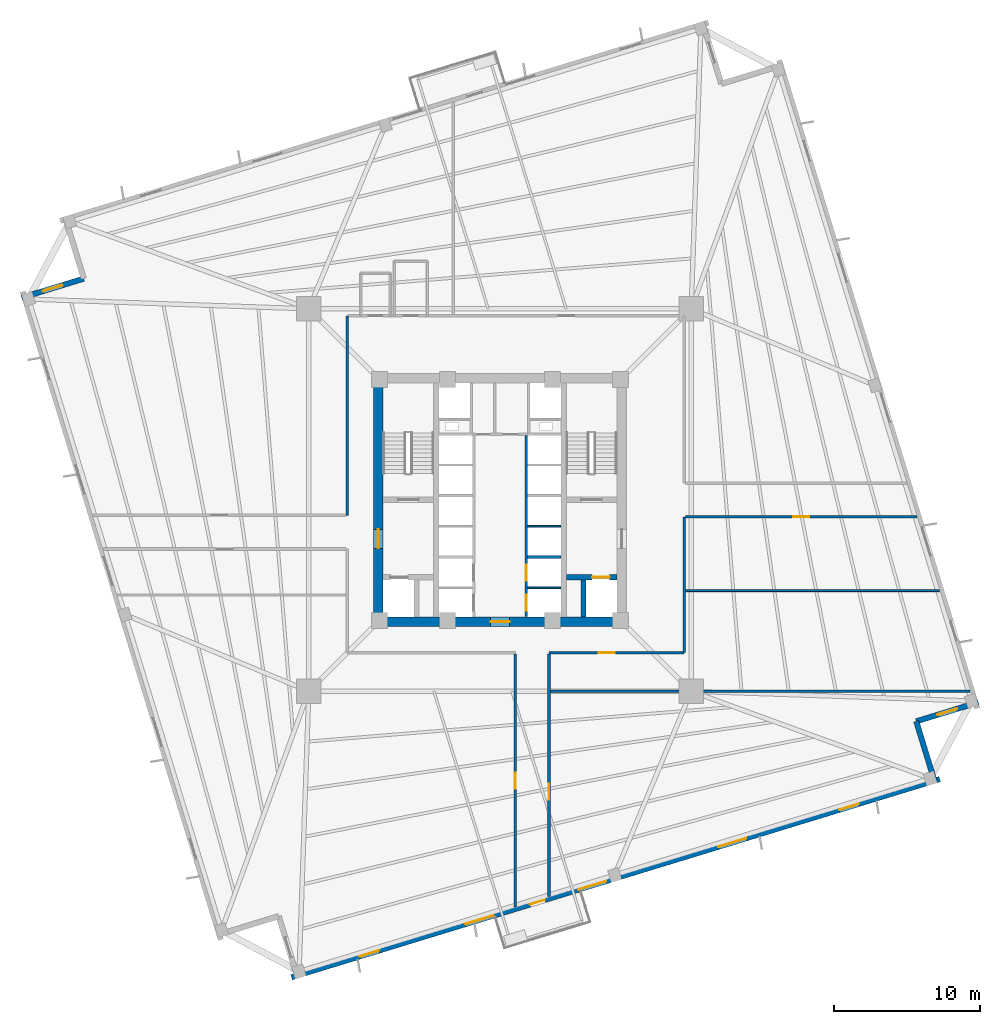
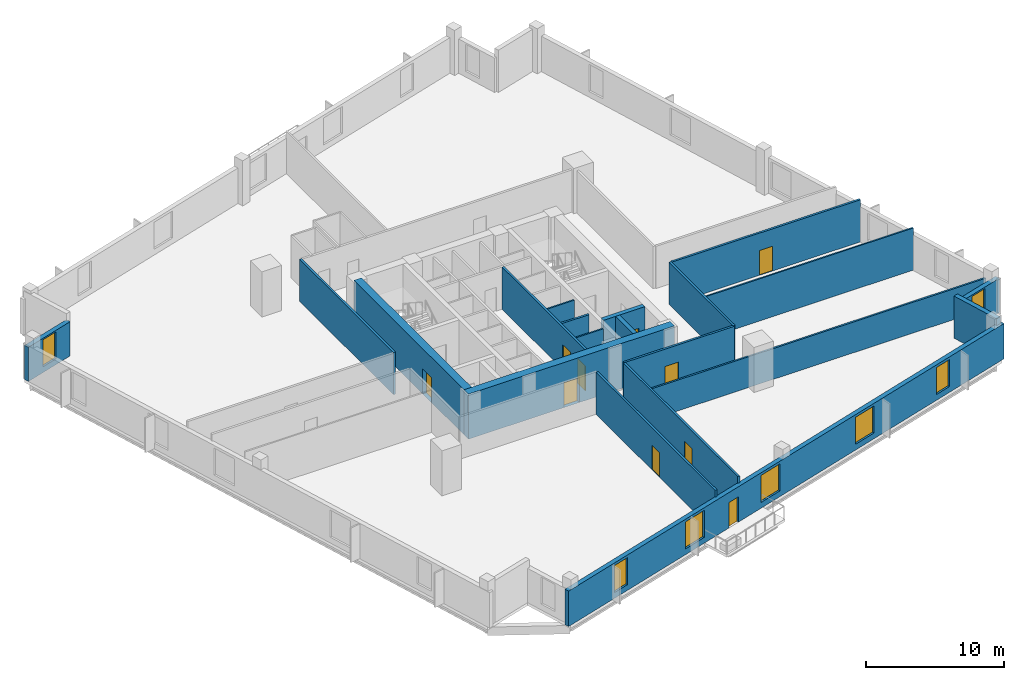
# One storey, part 3 of 8: 20 walls, 10 doors, 7 windows, 17 openings.
"""IFC4 building model written with IfcOpenShell, lengths in metres."""

import ifcopenshell
import ifcopenshell.guid

model = None  # the IFC model being written
_history = None  # IfcOwnerHistory: only IFC2X3 demands one
_inside = {}  # id of a spatial element -> (the spatial element, [elements in it])
_under = {}  # id of a project, library or spatial element -> (it, [spatial elements below it])
_declared = {}  # id of a project -> (the project, [libraries it declares])
_typed = {}  # id of a type object -> (the type object, [elements of that type])
_made_of = {}  # id of a material, layer set ... -> (it, [elements and type objects made of it])


def new_model(schema):
    """Start an empty IFC model of exactly this schema.

    Asked for "IFC4X3", IfcOpenShell would pick the latest addendum, in which some entities
    have other attributes; the version numbers below select the first issue.
    IFC2X3 requires an IfcOwnerHistory on every rooted entity: one is made here for all.
    """
    global model, _history
    if schema == "IFC4X3":
        model = ifcopenshell.file(schema_version=(4, 3, 0, 0))
    else:
        model = ifcopenshell.file(schema=schema)
    _inside.clear()
    _under.clear()
    _declared.clear()
    _typed.clear()
    _made_of.clear()
    _history = None
    if model.schema == "IFC2X3":
        org = make("IfcOrganization", Name="unknown")
        user = make(
            "IfcPersonAndOrganization",
            ThePerson=make("IfcPerson", FamilyName="unknown"),
            TheOrganization=org,
        )
        app = make(
            "IfcApplication",
            ApplicationDeveloper=org,
            Version="unknown",
            ApplicationFullName="unknown",
            ApplicationIdentifier="unknown",
        )
        _history = make(
            "IfcOwnerHistory",
            OwningUser=user,
            OwningApplication=app,
            ChangeAction="ADDED",
            CreationDate=0,
        )
    return model


def make(cls, **values):
    """One entity of the class cls with the attributes given. An attribute that is None is left unset."""
    return model.create_entity(
        cls, **{name: value for name, value in values.items() if value is not None}
    )


def rooted(cls, **values):
    """An entity with a GlobalId (a new one), such as an element, a storey or a relation."""
    return make(cls, GlobalId=ifcopenshell.guid.new(), OwnerHistory=_history, **values)


def si_unit(unit_type, name, prefix=None):
    """IfcSIUnit, for example si_unit("LENGTHUNIT", "METRE", prefix="MILLI")."""
    return make("IfcSIUnit", UnitType=unit_type, Prefix=prefix, Name=name)


def assignment(units):
    """IfcUnitAssignment: the units of a project."""
    return None if units is None else make("IfcUnitAssignment", Units=units)


def point(xyz):
    """IfcCartesianPoint."""
    return None if xyz is None else make("IfcCartesianPoint", Coordinates=xyz)


def direction(xyz):
    """IfcDirection."""
    return None if xyz is None else make("IfcDirection", DirectionRatios=xyz)


def frame(location, z_axis=None, x_axis=None):
    """IfcAxis2Placement3D, a coordinate frame: its origin and axes. An axis left out is left unset."""
    return make(
        "IfcAxis2Placement3D",
        Location=point(location),
        Axis=direction(z_axis),
        RefDirection=direction(x_axis),
    )


def frame_2d(location, x_axis=None):
    """IfcAxis2Placement2D, a coordinate frame in the plane: its origin and x axis."""
    return make(
        "IfcAxis2Placement2D", Location=point(location), RefDirection=direction(x_axis)
    )


def origin():
    """The frame at (0, 0, 0) with its axes left unset."""
    return frame((0.0, 0.0, 0.0))


def place(relative_to, where):
    """IfcLocalPlacement: puts the frame where relative to a parent placement (None: the world)."""
    return make(
        "IfcLocalPlacement", PlacementRelTo=relative_to, RelativePlacement=where
    )


def context(
    kind, dimensions, precision=None, world=None, true_north=None, identifier=None
):
    """IfcGeometricRepresentationContext, for example the 3D "Model" context."""
    return make(
        "IfcGeometricRepresentationContext",
        ContextIdentifier=identifier,
        ContextType=kind,
        CoordinateSpaceDimension=dimensions,
        Precision=precision,
        WorldCoordinateSystem=world,
        TrueNorth=true_north,
    )


def subcontext(parent, identifier, kind, view, scale=None):
    """IfcGeometricRepresentationSubContext, for example "Body" below "Model"."""
    return make(
        "IfcGeometricRepresentationSubContext",
        ContextIdentifier=identifier,
        ContextType=kind,
        ParentContext=parent,
        TargetScale=scale,
        TargetView=view,
    )


def project(units=None, contexts=None):
    """IfcProject with its units and contexts."""
    return rooted(
        "IfcProject",
        Name="project",
        RepresentationContexts=contexts,
        UnitsInContext=assignment(units),
    )


def spatial(cls, under=None, at=None, **own):
    """A site, building, storey or space (cls), placed at a placement, below another one or the project."""
    s = rooted(cls, ObjectPlacement=at, **own)
    if under is not None:
        _under.setdefault(under.id(), (under, []))[1].append(s)
    return s


def profile(cls, at=None, kind="AREA", **sizes):
    """A parametric profile (cls). Its sizes go by their IFC names, for example OverallWidth=200.0."""
    return make(cls, ProfileType=kind, Position=at, **sizes)


def rectangle(**sizes):
    """IfcRectangleProfileDef."""
    return profile("IfcRectangleProfileDef", **sizes)


def extrude(swept, where, along, depth):
    """IfcExtrudedAreaSolid: the profile swept, set in the frame where, extruded along a direction by depth."""
    return make(
        "IfcExtrudedAreaSolid",
        SweptArea=swept,
        Position=where,
        ExtrudedDirection=direction(along),
        Depth=depth,
    )


def shape(context_of_items, identifier, shape_type, items):
    """IfcShapeRepresentation: the items that make up one representation, for example the "Body"."""
    return make(
        "IfcShapeRepresentation",
        ContextOfItems=context_of_items,
        RepresentationIdentifier=identifier,
        RepresentationType=shape_type,
        Items=items,
    )


def source(mapping_origin, context_of_items, identifier, shape_type, items):
    """IfcRepresentationMap: a shape defined once, which mapped items show again and again."""
    return make(
        "IfcRepresentationMap",
        MappingOrigin=mapping_origin,
        MappedRepresentation=shape(context_of_items, identifier, shape_type, items),
    )


def transform(
    local_origin,
    x_axis=None,
    y_axis=None,
    z_axis=None,
    scale=None,
    scale2=None,
    scale3=None,
    uniform=True,
):
    """IfcCartesianTransformationOperator3D, or its non-uniform kind. x_axis, y_axis, z_axis: its Axis1, 2, 3."""
    if uniform:
        return make(
            "IfcCartesianTransformationOperator3D",
            Axis1=direction(x_axis),
            Axis2=direction(y_axis),
            LocalOrigin=point(local_origin),
            Scale=scale,
            Axis3=direction(z_axis),
        )
    return make(
        "IfcCartesianTransformationOperator3DnonUniform",
        Axis1=direction(x_axis),
        Axis2=direction(y_axis),
        LocalOrigin=point(local_origin),
        Scale=scale,
        Axis3=direction(z_axis),
        Scale2=scale2,
        Scale3=scale3,
    )


def mapped(mapping_source, mapping_target):
    """IfcMappedItem: shows the shape of a source again, moved by a transform."""
    return make(
        "IfcMappedItem", MappingSource=mapping_source, MappingTarget=mapping_target
    )


def material(Name=None, Category=None):
    """IfcMaterial."""
    return make("IfcMaterial", Name=Name, Category=Category)


def layer(
    of_material, thickness, ventilated=None, Name=None, Category=None, Priority=None
):
    """IfcMaterialLayer: one layer of a wall or slab, of a material (None: an air gap)."""
    return make(
        "IfcMaterialLayer",
        Material=of_material,
        LayerThickness=thickness,
        IsVentilated=ventilated,
        Name=Name,
        Category=Category,
        Priority=Priority,
    )


def layer_set(layers, Name=None):
    """IfcMaterialLayerSet."""
    return make("IfcMaterialLayerSet", MaterialLayers=layers, LayerSetName=Name)


def made_of(thing, what):
    """Note that an element or type object is made of a material, layer set ...; save() writes the relation."""
    if what is not None:
        _made_of.setdefault(what.id(), (what, []))[1].append(thing)
    return thing


def type_object(cls, material=None, **own):
    """A type object (cls), such as IfcWallType, which elements share."""
    return made_of(rooted(cls, **own), material)


def element(
    cls,
    number,
    at=None,
    inside=None,
    cuts=None,
    type_object=None,
    material=None,
    context=None,
    identifier="Body",
    shape_type=None,
    held_by="IfcProductDefinitionShape",
    body=None,
    shapes=None,
    **own,
):
    """One element of the class cls, such as IfcWall. Its Tag is "e" and its number.

    at: its placement. inside: the storey or other place that contains it. cuts: it is an
    opening in that element (IfcRelVoidsElement). A single representation is given by context,
    identifier, shape_type and body (its items); several are given by shapes. held_by: the class
    of the entity that holds the representations. save() writes the other relations.
    """
    e = rooted(cls, Tag="e%d" % number, ObjectPlacement=at, **own)
    if body is not None:
        shapes = [shape(context, identifier, shape_type, body)]
    if shapes is not None:
        e.Representation = make(held_by, Representations=shapes)
    if inside is not None:
        _inside.setdefault(inside.id(), (inside, []))[1].append(e)
    if cuts is not None:
        rooted(
            "IfcRelVoidsElement", RelatingBuildingElement=cuts, RelatedOpeningElement=e
        )
    if type_object is not None:
        _typed.setdefault(type_object.id(), (type_object, []))[1].append(e)
    return made_of(e, material)


def fill(opening, filler):
    """IfcRelFillsElement: the door or window that sits in an opening."""
    return rooted(
        "IfcRelFillsElement",
        RelatingOpeningElement=opening,
        RelatedBuildingElement=filler,
    )


def aggregate(whole, parts):
    """IfcRelAggregates: a whole, such as a stair, and the parts it consists of."""
    return rooted("IfcRelAggregates", RelatingObject=whole, RelatedObjects=parts)


def save(model, path):
    """Write the relations noted so far, then the file.

    IfcRelAggregates (storeys below a building ...), IfcRelContainedInSpatialStructure (elements
    in a storey), IfcRelDefinesByType, IfcRelAssociatesMaterial and IfcRelDeclares: one each for
    every whole, place, type object, material and project.
    """
    for whole, parts in _under.values():
        aggregate(whole, parts)
    for where, things in _inside.values():
        rooted(
            "IfcRelContainedInSpatialStructure",
            RelatedElements=things,
            RelatingStructure=where,
        )
    for kind, things in _typed.values():
        rooted("IfcRelDefinesByType", RelatedObjects=things, RelatingType=kind)
    for what, things in _made_of.values():
        rooted("IfcRelAssociatesMaterial", RelatedObjects=things, RelatingMaterial=what)
    for by, libraries in _declared.values():
        rooted("IfcRelDeclares", RelatingContext=by, RelatedDefinitions=libraries)
    model.write(path)


model = new_model("IFC4")

# Units and contexts
model_context = context("Model", 3, precision=1e-05, world=origin(), true_north=direction((0.0, 1.0)))
body_context = subcontext(model_context, "Body", "Model", "MODEL_VIEW")
ifc_project = project(units=[si_unit("LENGTHUNIT", "METRE"), si_unit("AREAUNIT", "SQUARE_METRE"), si_unit("VOLUMEUNIT", "CUBIC_METRE"), si_unit("PLANEANGLEUNIT", "RADIAN"), si_unit("MASSUNIT", "GRAM", prefix="KILO"), si_unit("THERMODYNAMICTEMPERATUREUNIT", "KELVIN")], contexts=[model_context])

# Site, building, storey
site_placement = place(None, origin())
site = spatial("IfcSite", under=ifc_project, at=site_placement, CompositionType="ELEMENT")
building_placement = place(site_placement, origin())
building = spatial("IfcBuilding", under=site, at=building_placement, Name="Kosmvard Interchange Tower", CompositionType="ELEMENT")
storey_placement = place(building_placement, frame((0.0, 0.0, 103.199951171875)))
storey = spatial("IfcBuildingStorey", under=building, at=storey_placement, Name="L24", CompositionType="ELEMENT", Elevation=103.199951171875)

# Wall
ifc_material_1 = material(Name="Acoustic gypsum partition system")
ifc_layer_1 = layer(ifc_material_1, 0.14990234375, Name="Acoustic gypsum partition system")
ifc_layer_set_1 = layer_set([ifc_layer_1], Name="Acoustic gypsum partition system")
wall_type_1 = type_object("IfcWallType", Name="Acoustic Suite & Meeting Partition 150", PredefinedType="PARTITIONING", material=ifc_layer_set_1)
wall_1_placement = place(storey_placement, frame((3.445068359375, -13.0810546875, 0.0), z_axis=(0.0, 0.0, 1.0), x_axis=(1.0, 0.0, 0.0)))
element("IfcWall", 1, at=wall_1_placement, inside=storey, type_object=wall_type_1, Name="L24 Room Partition 02.1", PredefinedType="PARTITIONING", context=body_context, shape_type="SweptSolid", body=[
    extrude(rectangle(XDim=28.719970703125, YDim=0.14990234375, at=frame_2d((14.35986328125, 0.0))), origin(), (0.0, 0.0, 1.0), 2.73193359375),
])

# Wall, openings, doors
ifc_material_2 = material(Name="Fire-rated gypsum partition system")
ifc_layer_2 = layer(ifc_material_2, 0.179931640625, Name="Fire-rated gypsum partition system")
ifc_layer_set_2 = layer_set([ifc_layer_2], Name="Fire-rated gypsum partition system")
wall_type_2 = type_object("IfcWallType", Name="Corridor & Hotel Compartment Partition 180", PredefinedType="PARTITIONING", material=ifc_layer_set_2)
wall_2_placement = place(storey_placement, frame((1.7900390625, -7.97998046875, 0.0), z_axis=(0.0, 0.0, 1.0), x_axis=(0.0, 1.0, 0.0)))
wall_2 = element("IfcWall", 2, at=wall_2_placement, inside=storey, type_object=wall_type_2, Name="L24 East Lift Bank Front Wall", PredefinedType="PARTITIONING", context=body_context, shape_type="SweptSolid", body=[
    extrude(rectangle(XDim=12.3798828125, YDim=0.179931640625, at=frame_2d((6.18994140625, 0.0))), origin(), (0.0, 0.0, 1.0), 3.739990234375),
])
opening_1_placement = place(wall_2_placement, frame((0.39990234375, 0.0, 0.0)))
opening_1 = element("IfcOpeningElement", 3, at=opening_1_placement, cuts=wall_2, Name="Opening LD-PL-L3-L24", PredefinedType="OPENING", context=body_context, shape_type="SweptSolid", body=[
    extrude(rectangle(XDim=1.10009765625, YDim=2.199951171875, at=frame_2d((0.550048828125, 1.10009765625))), frame((0.0, 0.10009765625, 0.0), z_axis=(0.0, -1.0, 0.0), x_axis=(1.0, 0.0, 0.0)), (0.0, 0.0, 1.0), 0.199951171875),
])
opening_2_placement = place(wall_2_placement, frame((2.4599609375, 0.0, 0.0)))
opening_2 = element("IfcOpeningElement", 4, at=opening_2_placement, cuts=wall_2, Name="Opening LD-PL-L4-L24", PredefinedType="OPENING", context=body_context, shape_type="SweptSolid", body=[
    extrude(rectangle(XDim=1.10009765625, YDim=2.199951171875, at=frame_2d((0.550048828125, 1.10009765625))), frame((0.0, 0.10009765625, 0.0), z_axis=(0.0, -1.0, 0.0), x_axis=(1.0, 0.0, 0.0)), (0.0, 0.0, 1.0), 0.199951171875),
])
ifc_material_3 = material(Name="Brushed stainless steel sliding leaf", Category="steel")
door_type_1 = type_object("IfcDoorType", Name="Passenger Lift Sliding Landing Door 1100x2200 EI60", OperationType="DOUBLE_DOOR_SLIDING", PredefinedType="DOOR", material=ifc_material_3)
shared_shape_1 = source(origin(), body_context, "Body", "SweptSolid", [
    extrude(rectangle(XDim=1.10009765625, YDim=2.199951171875, at=frame_2d((0.550048828125, 1.10009765625))), frame((0.0, 0.02490234375, 0.0), z_axis=(0.0, -1.0, 0.0), x_axis=(1.0, 0.0, 0.0)), (0.0, 0.0, 1.0), 0.050048828125),
])
door_1_placement = place(opening_1_placement, origin())
door_1 = element("IfcDoor", 5, at=door_1_placement, inside=storey, type_object=door_type_1, Name="Lift PL-L3 Landing Door L24", OperationType="DOUBLE_DOOR_SLIDING", OverallHeight=2.199951171875, OverallWidth=1.10009765625, PredefinedType="DOOR", context=body_context, shape_type="MappedRepresentation", body=[
    mapped(shared_shape_1, transform((0.0, 0.0, 0.0), scale=1.0)),
])
fill(opening_1, door_1)
door_2_placement = place(opening_2_placement, origin())
door_2 = element("IfcDoor", 6, at=door_2_placement, inside=storey, type_object=door_type_1, Name="Lift PL-L4 Landing Door L24", OperationType="DOUBLE_DOOR_SLIDING", OverallHeight=2.199951171875, OverallWidth=1.10009765625, PredefinedType="DOOR", context=body_context, shape_type="MappedRepresentation", body=[
    mapped(shared_shape_1, transform((0.0, 0.0, 0.0), scale=1.0)),
])
fill(opening_2, door_2)

# Wall, opening, door
wall_3_placement = place(storey_placement, frame((3.35009765625, -10.449951171875, 0.0), z_axis=(0.0, 0.0, 1.0), x_axis=(1.0, 0.0, 0.0)))
wall_3 = element("IfcWall", 7, at=wall_3_placement, inside=storey, type_object=wall_type_2, Name="L24 Corridor Wall CSE", PredefinedType="PARTITIONING", context=body_context, shape_type="SweptSolid", body=[
    extrude(rectangle(XDim=9.25, YDim=0.179931640625, at=frame_2d((4.625, 0.0))), origin(), (0.0, 0.0, 1.0), 3.739990234375),
])
opening_3_placement = place(wall_3_placement, frame((3.4150390625, 0.0, 0.0)))
opening_3 = element("IfcOpeningElement", 8, at=opening_3_placement, cuts=wall_3, Name="Opening L24-D06", PredefinedType="OPENING", context=body_context, shape_type="SweptSolid", body=[
    extrude(rectangle(XDim=1.10009765625, YDim=2.199951171875, at=frame_2d((0.550048828125, 1.10009765625))), frame((0.0, 0.10009765625, 0.0), z_axis=(0.0, -1.0, 0.0), x_axis=(1.0, 0.0, 0.0)), (0.0, 0.0, 1.0), 0.199951171875),
])
ifc_material_4 = material(Name="Engineered oak fire-rated timber", Category="wood")
door_type_2 = type_object("IfcDoorType", Name="Office Suite Entrance Door 1100x2200 FD30S", OperationType="NOTDEFINED", PredefinedType="DOOR", material=ifc_material_4)
door_3_placement = place(opening_3_placement, frame((1.10009765625, 0.0, 0.0), z_axis=(0.0, 0.0, 1.0), x_axis=(-1.0, 0.0, 0.0)))
door_3 = element("IfcDoor", 9, at=door_3_placement, inside=storey, type_object=door_type_2, Name="L24 Client Briefing Room 2 Door", OperationType="SINGLE_SWING_RIGHT", OverallHeight=2.199951171875, OverallWidth=1.10009765625, PredefinedType="DOOR", context=body_context, shape_type="MappedRepresentation", body=[
    mapped(shared_shape_1, transform((0.0, 0.0, 0.0), scale=1.0)),
])
fill(opening_3, door_3)

# Walls
wall_4_placement = place(storey_placement, frame((-10.449951171875, -1.050048828125, 0.0), z_axis=(0.0, 0.0, 1.0), x_axis=(0.0, 1.0, 0.0)))
element("IfcWall", 10, at=wall_4_placement, inside=storey, type_object=wall_type_2, Name="L24 Corridor Wall CWN", PredefinedType="PARTITIONING", context=body_context, shape_type="SweptSolid", body=[
    extrude(rectangle(XDim=13.650146484375, YDim=0.179931640625, at=frame_2d((6.8251953125, 0.0))), origin(), (0.0, 0.0, 1.0), 3.739990234375),
])
wall_5_placement = place(storey_placement, frame((12.60009765625, -10.449951171875, 0.0), z_axis=(0.0, 0.0, 1.0), x_axis=(0.0, 1.0, 0.0)))
element("IfcWall", 11, at=wall_5_placement, inside=storey, type_object=wall_type_2, Name="L24 Corridor Wall CES", PredefinedType="PARTITIONING", context=body_context, shape_type="SweptSolid", body=[
    extrude(rectangle(XDim=9.300048828125, YDim=0.179931640625, at=frame_2d((4.64990234375, 0.0))), origin(), (0.0, 0.0, 1.0), 3.739990234375),
])

# Wall, opening, door
wall_6_placement = place(storey_placement, frame((12.699951171875, -1.14990234375, 0.0), z_axis=(0.0, 0.0, 1.0), x_axis=(1.0, 0.0, 0.0)))
wall_6 = element("IfcWall", 12, at=wall_6_placement, inside=storey, type_object=wall_type_2, Name="L24 Corridor Wall SES", PredefinedType="PARTITIONING", context=body_context, shape_type="SweptSolid", body=[
    extrude(rectangle(XDim=15.8173828125, YDim=0.179931640625, at=frame_2d((7.90869140625, 0.0))), origin(), (0.0, 0.0, 1.0), 3.739990234375),
])
opening_4_placement = place(wall_6_placement, frame((7.358642578125, 0.0, 0.0)))
opening_4 = element("IfcOpeningElement", 13, at=opening_4_placement, cuts=wall_6, Name="Opening L24-D05", PredefinedType="OPENING", context=body_context, shape_type="SweptSolid", body=[
    extrude(rectangle(XDim=1.10009765625, YDim=2.199951171875, at=frame_2d((0.550048828125, 1.10009765625))), frame((0.0, 0.10009765625, 0.0), z_axis=(0.0, -1.0, 0.0), x_axis=(1.0, 0.0, 0.0)), (0.0, 0.0, 1.0), 0.199951171875),
])
door_4_placement = place(opening_4_placement, frame((1.10009765625, 0.0, 0.0), z_axis=(0.0, 0.0, 1.0), x_axis=(-1.0, 0.0, 0.0)))
door_4 = element("IfcDoor", 14, at=door_4_placement, inside=storey, type_object=door_type_2, Name="L24 Executive Tea Pantry Door", OperationType="SINGLE_SWING_LEFT", OverallHeight=2.199951171875, OverallWidth=1.10009765625, PredefinedType="DOOR", context=body_context, shape_type="MappedRepresentation", body=[
    mapped(shared_shape_1, transform((0.0, 0.0, 0.0), scale=1.0)),
])
fill(opening_4, door_4)

wall_7_placement = place(storey_placement, frame((1.050048828125, -27.8447265625, 0.0), z_axis=(0.0, 0.0, 1.0), x_axis=(0.0, 1.0, 0.0)))
wall_7 = element("IfcWall", 15, at=wall_7_placement, inside=storey, type_object=wall_type_2, Name="L24 Corridor Wall SSW", PredefinedType="PARTITIONING", context=body_context, shape_type="SweptSolid", body=[
    extrude(rectangle(XDim=17.294677734375, YDim=0.179931640625, at=frame_2d((8.6474609375, 0.0))), origin(), (0.0, 0.0, 1.0), 3.739990234375),
])
opening_5_placement = place(wall_7_placement, frame((8.097412109375, 0.0, 0.0)))
opening_5 = element("IfcOpeningElement", 16, at=opening_5_placement, cuts=wall_7, Name="Opening L24-D09", PredefinedType="OPENING", context=body_context, shape_type="SweptSolid", body=[
    extrude(rectangle(XDim=1.10009765625, YDim=2.199951171875, at=frame_2d((0.550048828125, 1.10009765625))), frame((0.0, 0.10009765625, 0.0), z_axis=(0.0, -1.0, 0.0), x_axis=(1.0, 0.0, 0.0)), (0.0, 0.0, 1.0), 0.199951171875),
])
door_5_placement = place(opening_5_placement, origin())
door_5 = element("IfcDoor", 17, at=door_5_placement, inside=storey, type_object=door_type_2, Name="L24 South-West Briefing Hall 5 Door", OperationType="SINGLE_SWING_LEFT", OverallHeight=2.199951171875, OverallWidth=1.10009765625, PredefinedType="DOOR", context=body_context, shape_type="MappedRepresentation", body=[
    mapped(shared_shape_1, transform((0.0, 0.0, 0.0), scale=1.0)),
])
fill(opening_5, door_5)

wall_8_placement = place(storey_placement, frame((3.35009765625, -27.1416015625, 0.0), z_axis=(0.0, 0.0, 1.0), x_axis=(0.0, 1.0, 0.0)))
wall_8 = element("IfcWall", 18, at=wall_8_placement, inside=storey, type_object=wall_type_2, Name="L24 Corridor Wall SSE", PredefinedType="PARTITIONING", context=body_context, shape_type="SweptSolid", body=[
    extrude(rectangle(XDim=16.591552734375, YDim=0.179931640625, at=frame_2d((8.2958984375, 0.0))), origin(), (0.0, 0.0, 1.0), 3.739990234375),
])
opening_6_placement = place(wall_8_placement, frame((6.644775390625, 0.0, 0.0)))
opening_6 = element("IfcOpeningElement", 19, at=opening_6_placement, cuts=wall_8, Name="Opening L24-D07", PredefinedType="OPENING", context=body_context, shape_type="SweptSolid", body=[
    extrude(rectangle(XDim=1.10009765625, YDim=2.199951171875, at=frame_2d((0.550048828125, 1.10009765625))), frame((0.0, 0.10009765625, 0.0), z_axis=(0.0, -1.0, 0.0), x_axis=(1.0, 0.0, 0.0)), (0.0, 0.0, 1.0), 0.199951171875),
])
door_6_placement = place(opening_6_placement, frame((1.10009765625, 0.0, 0.0), z_axis=(0.0, 0.0, 1.0), x_axis=(-1.0, 0.0, 0.0)))
door_6 = element("IfcDoor", 20, at=door_6_placement, inside=storey, type_object=door_type_2, Name="L24 South-East Seminar Room 3 Door", OperationType="SINGLE_SWING_LEFT", OverallHeight=2.199951171875, OverallWidth=1.10009765625, PredefinedType="DOOR", context=body_context, shape_type="MappedRepresentation", body=[
    mapped(shared_shape_1, transform((0.0, 0.0, 0.0), scale=1.0)),
])
fill(opening_6, door_6)

# Wall, openings, door, windows
ifc_material_5 = material(Name="Precast concrete C45/55", Category="concrete")
ifc_layer_3 = layer(ifc_material_5, 0.3798828125, Name="Precast concrete C45/55")
ifc_layer_set_3 = layer_set([ifc_layer_3], Name="Precast concrete C45/55")
wall_type_3 = type_object("IfcWallType", Name="Lower Tower Precast Pier Wall 380 C45/55", PredefinedType="STANDARD", material=ifc_layer_set_3)
wall_9_placement = place(storey_placement, frame((-14.26513671875, -32.65771484375, 0.0), z_axis=(0.0, 0.0, 1.0), x_axis=(0.956304320851, 0.292373127906, 0.0)))
wall_9 = element("IfcWall", 21, at=wall_9_placement, inside=storey, type_object=wall_type_3, Name="L24 Precast Facade Wall F-S", PredefinedType="STANDARD", context=body_context, shape_type="SweptSolid", body=[
    extrude(rectangle(XDim=46.380126953125, YDim=0.3798828125, at=frame_2d((23.18994140625, 0.0))), origin(), (0.0, 0.0, 1.0), 3.14013671875),
])
opening_7_placement = place(wall_9_placement, frame((17.06494140625, 0.0, 0.0)))
opening_7 = element("IfcOpeningElement", 22, at=opening_7_placement, cuts=wall_9, Name="Opening L24-BDS", PredefinedType="OPENING", context=body_context, shape_type="SweptSolid", body=[
    extrude(rectangle(XDim=1.050048828125, YDim=2.25, at=frame_2d((0.52490234375, 1.125))), frame((0.0, 0.199951171875, 0.0), z_axis=(0.0, -1.0, 0.0), x_axis=(1.0, 0.0, 0.0)), (0.0, 0.0, 1.0), 0.39990234375),
])
opening_8_placement = place(wall_9_placement, frame((4.865478515625, 0.0, 0.510009765625)))
opening_8 = element("IfcOpeningElement", 23, at=opening_8_placement, cuts=wall_9, Name="Opening L24-W01", PredefinedType="OPENING", context=body_context, shape_type="SweptSolid", body=[
    extrude(rectangle(XDim=1.39990234375, YDim=2.39990234375, at=frame_2d((0.699951171875, 1.199951171875))), frame((0.0, 0.199951171875, 0.0), z_axis=(0.0, -1.0, 0.0), x_axis=(1.0, 0.0, 0.0)), (0.0, 0.0, 1.0), 0.39990234375),
])
opening_9_placement = place(wall_9_placement, frame((12.4501953125, 0.0, 0.510009765625)))
opening_9 = element("IfcOpeningElement", 24, at=opening_9_placement, cuts=wall_9, Name="Opening L24-W02", PredefinedType="OPENING", context=body_context, shape_type="SweptSolid", body=[
    extrude(rectangle(XDim=2.0, YDim=2.39990234375, at=frame_2d((1.0, 1.199951171875))), frame((0.0, 0.199951171875, 0.0), z_axis=(0.0, -1.0, 0.0), x_axis=(1.0, 0.0, 0.0)), (0.0, 0.0, 1.0), 0.39990234375),
])
opening_10_placement = place(wall_9_placement, frame((20.512451171875, 0.0, 0.510009765625)))
opening_10 = element("IfcOpeningElement", 25, at=opening_10_placement, cuts=wall_9, Name="Opening L24-W03", PredefinedType="OPENING", context=body_context, shape_type="SweptSolid", body=[
    extrude(rectangle(XDim=2.0, YDim=2.39990234375, at=frame_2d((1.0, 1.199951171875))), frame((0.0, 0.199951171875, 0.0), z_axis=(0.0, -1.0, 0.0), x_axis=(1.0, 0.0, 0.0)), (0.0, 0.0, 1.0), 0.39990234375),
])
opening_11_placement = place(wall_9_placement, frame((30.538330078125, 0.0, 0.510009765625)))
opening_11 = element("IfcOpeningElement", 26, at=opening_11_placement, cuts=wall_9, Name="Opening L24-W04", PredefinedType="OPENING", context=body_context, shape_type="SweptSolid", body=[
    extrude(rectangle(XDim=2.0, YDim=2.39990234375, at=frame_2d((1.0, 1.199951171875))), frame((0.0, 0.199951171875, 0.0), z_axis=(0.0, -1.0, 0.0), x_axis=(1.0, 0.0, 0.0)), (0.0, 0.0, 1.0), 0.39990234375),
])
opening_12_placement = place(wall_9_placement, frame((39.186767578125, 0.0, 0.510009765625)))
opening_12 = element("IfcOpeningElement", 27, at=opening_12_placement, cuts=wall_9, Name="Opening L24-W05", PredefinedType="OPENING", context=body_context, shape_type="SweptSolid", body=[
    extrude(rectangle(XDim=1.39990234375, YDim=2.39990234375, at=frame_2d((0.699951171875, 1.199951171875))), frame((0.0, 0.199951171875, 0.0), z_axis=(0.0, -1.0, 0.0), x_axis=(1.0, 0.0, 0.0)), (0.0, 0.0, 1.0), 0.39990234375),
])
ifc_material_6 = material(Name="Anodised aluminium and safety glass", Category="aluminium")
door_type_3 = type_object("IfcDoorType", Name="Tree-Balcony Glazed Door 1050x2250", OperationType="NOTDEFINED", PredefinedType="DOOR", material=ifc_material_6)
shared_shape_2 = source(origin(), body_context, "Body", "SweptSolid", [
    extrude(rectangle(XDim=1.050048828125, YDim=2.25, at=frame_2d((0.52490234375, 1.125))), frame((0.0, 0.02490234375, 0.0), z_axis=(0.0, -1.0, 0.0), x_axis=(1.0, 0.0, 0.0)), (0.0, 0.0, 1.0), 0.050048828125),
])
door_7_placement = place(opening_7_placement, origin())
door_7 = element("IfcDoor", 28, at=door_7_placement, inside=storey, type_object=door_type_3, Name="L24 Tree-Balcony Door BAL-L24-S", OperationType="SINGLE_SWING_LEFT", OverallHeight=2.25, OverallWidth=1.050048828125, PredefinedType="DOOR", context=body_context, shape_type="MappedRepresentation", body=[
    mapped(shared_shape_2, transform((0.0, 0.0, 0.0), scale=1.0)),
])
fill(opening_7, door_7)
ifc_material_7 = material(Name="Low-E solar-control double glazing", Category="glass")
window_type_1 = type_object("IfcWindowType", Name="Notched Corner Feature Window 1400x2400", PartitioningType="SINGLE_PANEL", PredefinedType="WINDOW", material=ifc_material_7)
shared_shape_3 = source(origin(), body_context, "Body", "SweptSolid", [
    extrude(rectangle(XDim=1.39990234375, YDim=2.39990234375, at=frame_2d((0.699951171875, 1.199951171875))), frame((0.0, 0.030029296875, 0.0), z_axis=(0.0, -1.0, 0.0), x_axis=(1.0, 0.0, 0.0)), (0.0, 0.0, 1.0), 0.06005859375),
])
window_1_placement = place(opening_8_placement, origin())
window_1 = element("IfcWindow", 29, at=window_1_placement, inside=storey, type_object=window_type_1, Name="L24 Facade Punched Window 01", OverallHeight=2.39990234375, OverallWidth=1.39990234375, PartitioningType="SINGLE_PANEL", PredefinedType="WINDOW", context=body_context, shape_type="MappedRepresentation", body=[
    mapped(shared_shape_3, transform((0.0, 0.0, 0.0), scale=1.0)),
])
fill(opening_8, window_1)
window_2_placement = place(opening_12_placement, origin())
window_2 = element("IfcWindow", 30, at=window_2_placement, inside=storey, type_object=window_type_1, Name="L24 Facade Punched Window 05", OverallHeight=2.39990234375, OverallWidth=1.39990234375, PartitioningType="SINGLE_PANEL", PredefinedType="WINDOW", context=body_context, shape_type="MappedRepresentation", body=[
    mapped(shared_shape_3, transform((0.0, 0.0, 0.0), scale=1.0)),
])
fill(opening_12, window_2)
window_type_2 = type_object("IfcWindowType", Name="Zone 2 Office Punched Window 2000x2400", PartitioningType="SINGLE_PANEL", PredefinedType="WINDOW", material=ifc_material_7)
shared_shape_4 = source(origin(), body_context, "Body", "SweptSolid", [
    extrude(rectangle(XDim=2.0, YDim=2.39990234375, at=frame_2d((1.0, 1.199951171875))), frame((0.0, 0.030029296875, 0.0), z_axis=(0.0, -1.0, 0.0), x_axis=(1.0, 0.0, 0.0)), (0.0, 0.0, 1.0), 0.06005859375),
])
window_3_placement = place(opening_9_placement, origin())
window_3 = element("IfcWindow", 31, at=window_3_placement, inside=storey, type_object=window_type_2, Name="L24 Facade Punched Window 02", OverallHeight=2.39990234375, OverallWidth=2.0, PartitioningType="SINGLE_PANEL", PredefinedType="WINDOW", context=body_context, shape_type="MappedRepresentation", body=[
    mapped(shared_shape_4, transform((0.0, 0.0, 0.0), scale=1.0)),
])
fill(opening_9, window_3)
window_4_placement = place(opening_10_placement, origin())
window_4 = element("IfcWindow", 32, at=window_4_placement, inside=storey, type_object=window_type_2, Name="L24 Facade Punched Window 03", OverallHeight=2.39990234375, OverallWidth=2.0, PartitioningType="SINGLE_PANEL", PredefinedType="WINDOW", context=body_context, shape_type="MappedRepresentation", body=[
    mapped(shared_shape_4, transform((0.0, 0.0, 0.0), scale=1.0)),
])
fill(opening_10, window_4)
window_5_placement = place(opening_11_placement, origin())
window_5 = element("IfcWindow", 33, at=window_5_placement, inside=storey, type_object=window_type_2, Name="L24 Facade Punched Window 04", OverallHeight=2.39990234375, OverallWidth=2.0, PartitioningType="SINGLE_PANEL", PredefinedType="WINDOW", context=body_context, shape_type="MappedRepresentation", body=[
    mapped(shared_shape_4, transform((0.0, 0.0, 0.0), scale=1.0)),
])
fill(opening_11, window_5)

# Wall
wall_10_placement = place(storey_placement, frame((29.724853515625, -19.20849609375, 0.0), z_axis=(0.0, 0.0, 1.0), x_axis=(-0.292345507338, 0.956312764915, 0.0)))
element("IfcWall", 34, at=wall_10_placement, inside=storey, type_object=wall_type_3, Name="L24 Precast Facade Wall N-SE1", PredefinedType="STANDARD", context=body_context, shape_type="SweptSolid", body=[
    extrude(rectangle(XDim=4.249755859375, YDim=0.3798828125, at=frame_2d((2.125, 0.0))), origin(), (0.0, 0.0, 1.0), 3.739990234375),
])

# Wall, opening, window
wall_11_placement = place(storey_placement, frame((28.482421875, -15.144287109375, 0.0), z_axis=(0.0, 0.0, 1.0), x_axis=(0.956304176051, 0.292373601522, 0.0)))
wall_11 = element("IfcWall", 35, at=wall_11_placement, inside=storey, type_object=wall_type_3, Name="L24 Precast Facade Wall N-SE2", PredefinedType="STANDARD", context=body_context, shape_type="SweptSolid", body=[
    extrude(rectangle(XDim=4.43994140625, YDim=0.3798828125, at=frame_2d((2.219970703125, 0.0))), origin(), (0.0, 0.0, 1.0), 3.0400390625),
])
opening_13_placement = place(wall_11_placement, frame((1.52001953125, 0.0, 0.510009765625)))
opening_13 = element("IfcOpeningElement", 36, at=opening_13_placement, cuts=wall_11, Name="Opening L24-W21", PredefinedType="OPENING", context=body_context, shape_type="SweptSolid", body=[
    extrude(rectangle(XDim=1.39990234375, YDim=2.39990234375, at=frame_2d((0.699951171875, 1.199951171875))), frame((0.0, 0.199951171875, 0.0), z_axis=(0.0, -1.0, 0.0), x_axis=(1.0, 0.0, 0.0)), (0.0, 0.0, 1.0), 0.39990234375),
])
window_6_placement = place(opening_13_placement, origin())
window_6 = element("IfcWindow", 37, at=window_6_placement, inside=storey, type_object=window_type_1, Name="L24 Corner Notch Window 21", OverallHeight=2.39990234375, OverallWidth=1.39990234375, PartitioningType="SINGLE_PANEL", PredefinedType="WINDOW", context=body_context, shape_type="MappedRepresentation", body=[
    mapped(shared_shape_3, transform((0.0, 0.0, 0.0), scale=1.0)),
])
fill(opening_13, window_6)

wall_12_placement = place(storey_placement, frame((-28.482421875, 15.144287109375, 0.0), z_axis=(0.0, 0.0, 1.0), x_axis=(-0.956304176051, -0.292373601522, 0.0)))
wall_12 = element("IfcWall", 38, at=wall_12_placement, inside=storey, type_object=wall_type_3, Name="L24 Precast Facade Wall N-NW2", PredefinedType="STANDARD", context=body_context, shape_type="SweptSolid", body=[
    extrude(rectangle(XDim=4.43994140625, YDim=0.3798828125, at=frame_2d((2.219970703125, 0.0))), origin(), (0.0, 0.0, 1.0), 3.0400390625),
])
opening_14_placement = place(wall_12_placement, frame((1.52001953125, 0.0, 0.510009765625)))
opening_14 = element("IfcOpeningElement", 39, at=opening_14_placement, cuts=wall_12, Name="Opening L24-W23", PredefinedType="OPENING", context=body_context, shape_type="SweptSolid", body=[
    extrude(rectangle(XDim=1.39990234375, YDim=2.39990234375, at=frame_2d((0.699951171875, 1.199951171875))), frame((0.0, 0.199951171875, 0.0), z_axis=(0.0, -1.0, 0.0), x_axis=(1.0, 0.0, 0.0)), (0.0, 0.0, 1.0), 0.39990234375),
])
window_7_placement = place(opening_14_placement, origin())
window_7 = element("IfcWindow", 40, at=window_7_placement, inside=storey, type_object=window_type_1, Name="L24 Corner Notch Window 23", OverallHeight=2.39990234375, OverallWidth=1.39990234375, PartitioningType="SINGLE_PANEL", PredefinedType="WINDOW", context=body_context, shape_type="MappedRepresentation", body=[
    mapped(shared_shape_3, transform((0.0, 0.0, 0.0), scale=1.0)),
])
fill(opening_14, window_7)

# Wall, opening, door
ifc_material_8 = material(Name="Concrete C70/85", Category="concrete")
ifc_layer_4 = layer(ifc_material_8, 0.64990234375, Name="Concrete C70/85")
ifc_layer_set_4 = layer_set([ifc_layer_4], Name="Concrete C70/85")
wall_type_4 = type_object("IfcWallType", Name="Mid Core Shear Wall 650 C70/85", PredefinedType="SHEAR", material=ifc_layer_set_4)
wall_13_placement = place(storey_placement, frame((-8.64990234375, -8.324951171875, 0.0), z_axis=(0.0, 0.0, 1.0), x_axis=(1.0, 0.0, 0.0)))
wall_13 = element("IfcWall", 41, at=wall_13_placement, inside=storey, type_object=wall_type_4, Name="L24 Core Shear Wall CW-S", PredefinedType="SHEAR", context=body_context, shape_type="SweptSolid", body=[
    extrude(rectangle(XDim=17.2998046875, YDim=0.64990234375, at=frame_2d((8.64990234375, 0.0))), origin(), (0.0, 0.0, 1.0), 4.0),
])
opening_15_placement = place(wall_13_placement, frame((8.0, 0.0, 0.0)))
opening_15 = element("IfcOpeningElement", 42, at=opening_15_placement, cuts=wall_13, Name="Opening L24-LD0", PredefinedType="OPENING", context=body_context, shape_type="SweptSolid", body=[
    extrude(rectangle(XDim=1.300048828125, YDim=2.199951171875, at=frame_2d((0.64990234375, 1.10009765625))), frame((0.0, 0.3349609375, 0.0), z_axis=(0.0, -1.0, 0.0), x_axis=(1.0, 0.0, 0.0)), (0.0, 0.0, 1.0), 0.669921875),
])
ifc_material_9 = material(Name="Painted fire-rated steel leaf", Category="steel")
door_type_4 = type_object("IfcDoorType", Name="Firefighting Lobby Door 1300x2200 EI60", OperationType="NOTDEFINED", PredefinedType="DOOR", material=ifc_material_9)
shared_shape_5 = source(origin(), body_context, "Body", "SweptSolid", [
    extrude(rectangle(XDim=1.300048828125, YDim=2.199951171875, at=frame_2d((0.64990234375, 1.10009765625))), frame((0.0, 0.02490234375, 0.0), z_axis=(0.0, -1.0, 0.0), x_axis=(1.0, 0.0, 0.0)), (0.0, 0.0, 1.0), 0.050048828125),
])
door_8_placement = place(opening_15_placement, frame((1.300048828125, 0.0, 0.0), z_axis=(0.0, 0.0, 1.0), x_axis=(-1.0, 0.0, 0.0)))
door_8 = element("IfcDoor", 43, at=door_8_placement, inside=storey, type_object=door_type_4, Name="L24 Passenger Lift Lobby South Door", OperationType="SINGLE_SWING_LEFT", OverallHeight=2.199951171875, OverallWidth=1.300048828125, PredefinedType="DOOR", context=body_context, shape_type="MappedRepresentation", body=[
    mapped(shared_shape_5, transform((0.0, 0.0, 0.0), scale=1.0)),
])
fill(opening_15, door_8)

wall_14_placement = place(storey_placement, frame((-8.324951171875, -8.0, 0.0), z_axis=(0.0, 0.0, 1.0), x_axis=(0.0, 1.0, 0.0)))
wall_14 = element("IfcWall", 44, at=wall_14_placement, inside=storey, type_object=wall_type_4, Name="L24 Core Shear Wall CW-W", PredefinedType="SHEAR", context=body_context, shape_type="SweptSolid", body=[
    extrude(rectangle(XDim=16.0, YDim=0.64990234375, at=frame_2d((8.0, 0.0))), origin(), (0.0, 0.0, 1.0), 4.0),
])
opening_16_placement = place(wall_14_placement, frame((4.68994140625, 0.0, 0.0)))
opening_16 = element("IfcOpeningElement", 45, at=opening_16_placement, cuts=wall_14, Name="Opening L24-FD1", PredefinedType="OPENING", context=body_context, shape_type="SweptSolid", body=[
    extrude(rectangle(XDim=1.300048828125, YDim=2.199951171875, at=frame_2d((0.64990234375, 1.10009765625))), frame((0.0, 0.3349609375, 0.0), z_axis=(0.0, -1.0, 0.0), x_axis=(1.0, 0.0, 0.0)), (0.0, 0.0, 1.0), 0.669921875),
])
door_9_placement = place(opening_16_placement, frame((1.300048828125, 0.0, 0.0), z_axis=(0.0, 0.0, 1.0), x_axis=(-1.0, 0.0, 0.0)))
door_9 = element("IfcDoor", 46, at=door_9_placement, inside=storey, type_object=door_type_4, Name="L24 Firefighting Lobby West Door", OperationType="SINGLE_SWING_LEFT", OverallHeight=2.199951171875, OverallWidth=1.300048828125, PredefinedType="DOOR", context=body_context, shape_type="MappedRepresentation", body=[
    mapped(shared_shape_5, transform((0.0, 0.0, 0.0), scale=1.0)),
])
fill(opening_16, door_9)

# Walls
ifc_material_10 = material(Name="Gypsum board partition system")
ifc_layer_5 = layer(ifc_material_10, 0.1201171875, Name="Gypsum board partition system")
ifc_layer_set_5 = layer_set([ifc_layer_5], Name="Gypsum board partition system")
wall_type_5 = type_object("IfcWallType", Name="Office Cellular Partition 120", PredefinedType="PARTITIONING", material=ifc_layer_set_5)
wall_15_placement = place(storey_placement, frame((12.695068359375, -6.199951171875, 0.0), z_axis=(0.0, 0.0, 1.0), x_axis=(1.0, 0.0, 0.0)))
element("IfcWall", 47, at=wall_15_placement, inside=storey, type_object=wall_type_5, Name="L24 Room Partition 03.1", PredefinedType="PARTITIONING", context=body_context, shape_type="SweptSolid", body=[
    extrude(rectangle(XDim=17.3662109375, YDim=0.1201171875, at=frame_2d((8.68310546875, 0.0))), origin(), (0.0, 0.0, 1.0), 3.739990234375),
])
ifc_material_11 = material(Name="Concrete blockwork masonry", Category="masonry")
ifc_layer_6 = layer(ifc_material_11, 0.179931640625, Name="Concrete blockwork masonry")
ifc_layer_set_6 = layer_set([ifc_layer_6], Name="Concrete blockwork masonry")
wall_type_6 = type_object("IfcWallType", Name="Riser & Lift Bank Divider Wall 180", PredefinedType="PARTITIONING", material=ifc_layer_set_6)
wall_16_placement = place(storey_placement, frame((1.889892578125, -3.89990234375, 0.0), z_axis=(0.0, 0.0, 1.0), x_axis=(1.0, 0.0, 0.0)))
element("IfcWall", 48, at=wall_16_placement, inside=storey, type_object=wall_type_6, Name="L24 East Bank Divider BD1", PredefinedType="PARTITIONING", context=body_context, shape_type="SweptSolid", body=[
    extrude(rectangle(XDim=2.280029296875, YDim=0.179931640625, at=frame_2d((1.14013671875, 0.0))), origin(), (0.0, 0.0, 1.0), 3.739990234375),
])
ifc_material_12 = material(Name="Fire-rated gypsum shaftwall system")
ifc_layer_7 = layer(ifc_material_12, 0.1201171875, Name="Fire-rated gypsum shaftwall system")
ifc_layer_set_7 = layer_set([ifc_layer_7], Name="Fire-rated gypsum shaftwall system")
wall_type_7 = type_object("IfcWallType", Name="Shaft & Riser Fire Partition 120 EI60", PredefinedType="PARTITIONING", material=ifc_layer_set_7)
for number, where, z_axis, x_axis, name in (
    (49, (1.89990234375, -6.0, 0.0), (0.0, 0.0, 1.0), (1.0, 0.0, 0.0), "L24 Shaft Divider PL-L3"),
    (50, (1.89990234375, -1.800048828125, 0.0), (0.0, 0.0, 1.0), (1.0, 0.0, 0.0), "L24 Shaft Divider PL-M3"),
):
    element("IfcWall", number, at=place(storey_placement, frame(where, z_axis=z_axis, x_axis=x_axis)), inside=storey, type_object=wall_type_7, Name=name, PredefinedType="PARTITIONING", context=body_context, shape_type="SweptSolid", body=[
        extrude(rectangle(XDim=2.260009765625, YDim=0.1201171875, at=frame_2d((1.1298828125, 0.0))), origin(), (0.0, 0.0, 1.0), 3.739990234375),
    ])

# Wall, opening, door
ifc_material_13 = material(Name="Concrete C60/75", Category="concrete")
ifc_layer_8 = layer(ifc_material_13, 0.360107421875, Name="Concrete C60/75")
ifc_layer_set_8 = layer_set([ifc_layer_8], Name="Concrete C60/75")
wall_type_8 = type_object("IfcWallType", Name="Stair & Lift Shaft Shear Wall 360 C60/75", PredefinedType="SHEAR", material=ifc_layer_set_8)
wall_17_placement = place(storey_placement, frame((4.5400390625, -5.280029296875, 0.0), z_axis=(0.0, 0.0, 1.0), x_axis=(1.0, 0.0, 0.0)))
wall_17 = element("IfcWall", 51, at=wall_17_placement, inside=storey, type_object=wall_type_8, Name="L24 Shaft Shear Wall SW-FF2", PredefinedType="SHEAR", context=body_context, shape_type="SweptSolid", body=[
    extrude(rectangle(XDim=3.4599609375, YDim=0.360107421875, at=frame_2d((1.72998046875, 0.0))), origin(), (0.0, 0.0, 1.0), 4.0),
])
opening_17_placement = place(wall_17_placement, frame((1.760009765625, 0.0, 0.0)))
opening_17 = element("IfcOpeningElement", 52, at=opening_17_placement, cuts=wall_17, Name="Opening LD-FF-2-L24", PredefinedType="OPENING", context=body_context, shape_type="SweptSolid", body=[
    extrude(rectangle(XDim=1.199951171875, YDim=2.25, at=frame_2d((0.60009765625, 1.125))), frame((0.0, 0.18994140625, 0.0), z_axis=(0.0, -1.0, 0.0), x_axis=(1.0, 0.0, 0.0)), (0.0, 0.0, 1.0), 0.380126953125),
])
door_type_5 = type_object("IfcDoorType", Name="Firefighting Lift Sliding Landing Door 1200x2250 EI120", OperationType="DOUBLE_DOOR_SLIDING", PredefinedType="DOOR", material=ifc_material_3)
shared_shape_6 = source(origin(), body_context, "Body", "SweptSolid", [
    extrude(rectangle(XDim=1.199951171875, YDim=2.25, at=frame_2d((0.60009765625, 1.125))), frame((0.0, 0.02490234375, 0.0), z_axis=(0.0, -1.0, 0.0), x_axis=(1.0, 0.0, 0.0)), (0.0, 0.0, 1.0), 0.050048828125),
])
door_10_placement = place(opening_17_placement, origin())
door_10 = element("IfcDoor", 53, at=door_10_placement, inside=storey, type_object=door_type_5, Name="Lift FF-2 Landing Door L24", OperationType="DOUBLE_DOOR_SLIDING", OverallHeight=2.25, OverallWidth=1.199951171875, PredefinedType="DOOR", context=body_context, shape_type="MappedRepresentation", body=[
    mapped(shared_shape_6, transform((0.0, 0.0, 0.0), scale=1.0)),
])
fill(opening_17, door_10)

# Wall
wall_18_placement = place(storey_placement, frame((5.7099609375, -8.0, 0.0), z_axis=(0.0, 0.0, 1.0), x_axis=(0.0, 1.0, 0.0)))
element("IfcWall", 54, at=wall_18_placement, inside=storey, type_object=wall_type_8, Name="L24 Shaft Shear Wall SW-SM2", PredefinedType="SHEAR", context=body_context, shape_type="SweptSolid", body=[
    extrude(rectangle(XDim=2.5400390625, YDim=0.360107421875, at=frame_2d((1.27001953125, 0.0))), origin(), (0.0, 0.0, 1.0), 4.0),
])

save(model, "model.ifc")
